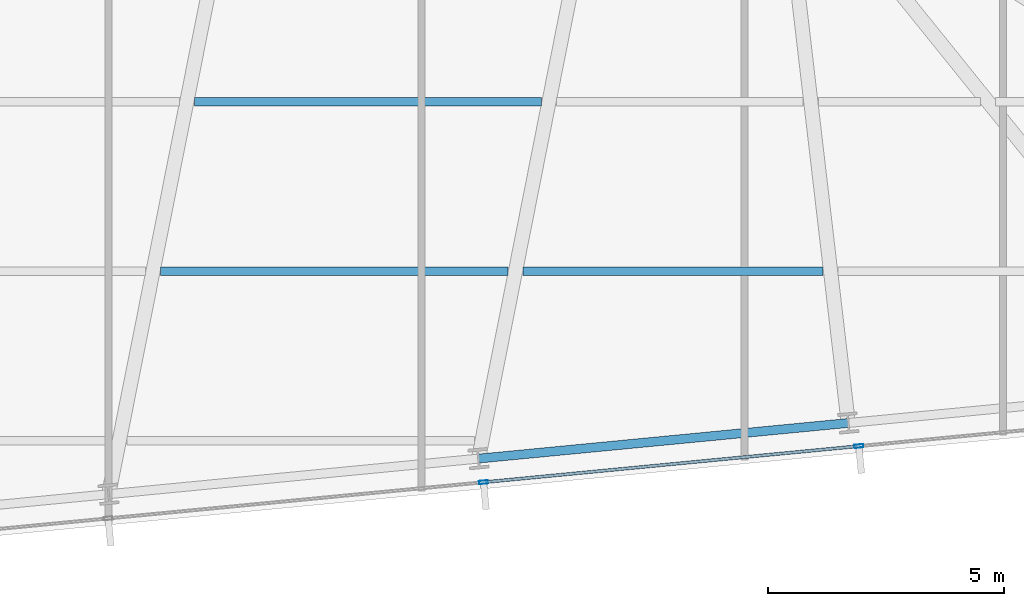
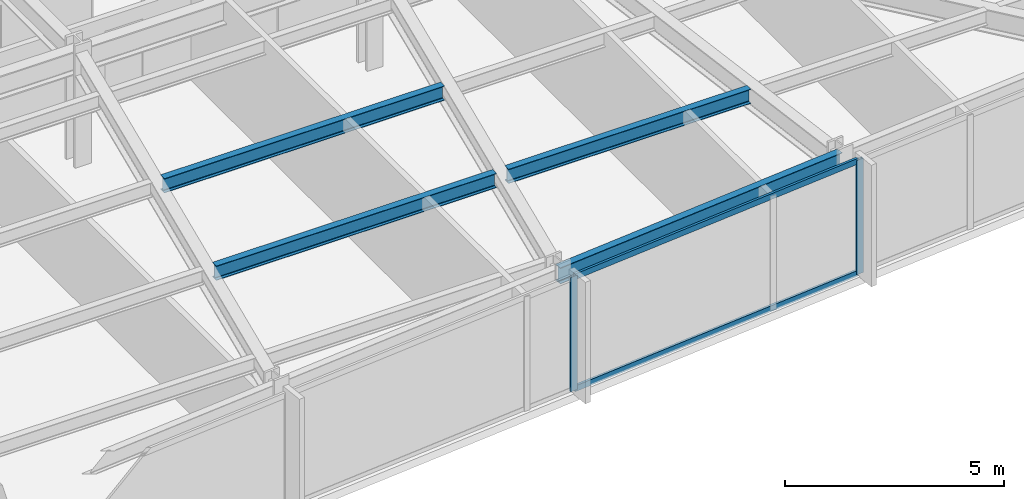
# One storey, part 10 of 33: 4 beams, 4 members, 1 element without a shape of its own.
"""IFC4 building model written with IfcOpenShell, lengths in metres."""

from ifc_helpers import new_model, si_unit, direction, frame, origin, origin_2d, place, context, subcontext, project, spatial, hollow_rectangle, i_section, extrude, material, material_profile, profile_set, type_object, element, aggregate, save


model = new_model("IFC4")

# Units and contexts
model_context = context("Model", 3, precision=1e-05, world=origin(), true_north=direction((0.0, 1.0)))
body_context = subcontext(model_context, "Body", "Model", "MODEL_VIEW")
ifc_project = project(units=[si_unit("LENGTHUNIT", "METRE"), si_unit("AREAUNIT", "SQUARE_METRE"), si_unit("VOLUMEUNIT", "CUBIC_METRE"), si_unit("PLANEANGLEUNIT", "RADIAN"), si_unit("MASSUNIT", "GRAM", prefix="KILO")], contexts=[model_context])

# Site, building, storey
site_placement = place(None, origin())
site = spatial("IfcSite", under=ifc_project, at=site_placement, CompositionType="ELEMENT")
building_placement = place(site_placement, origin())
building = spatial("IfcBuilding", under=site, at=building_placement, Name="Yelkora Congress Tower", CompositionType="ELEMENT")
storey_placement = place(building_placement, frame((0.0, 0.0, 106.699951171875)))
storey = spatial("IfcBuildingStorey", under=building, at=storey_placement, Name="L28", CompositionType="ELEMENT", Elevation=106.699951171875)

# Beams
ifc_material_1 = material(Name="Steel S355J2", Category="steel")
ifc_material_profile_1 = material_profile(ifc_material_1, i_section(OverallWidth=0.179931640625, OverallDepth=0.39990234375, WebThickness=0.008544921875, FlangeThickness=0.013427734375, FilletRadius=0.02099609375, at=origin_2d()), Name="IPE 400")
ifc_profile_set_1 = profile_set([ifc_material_profile_1], Name="Steel S355J2")
beam_type_1 = type_object("IfcBeamType", Name="BM-JOIST-IPE400", PredefinedType="JOIST", material=ifc_profile_set_1)
beam_1_placement = place(storey_placement, frame((44.436767578125, 16.144287109375, 2.97998046875), z_axis=(1.0, 0.0, 0.0), x_axis=(0.0, 1.0, 0.0)))
element("IfcBeam", 1, at=beam_1_placement, inside=storey, type_object=beam_type_1, Name="L28 Composite Floor Joist 7", PredefinedType="JOIST", context=body_context, shape_type="SweptSolid", body=[
    extrude(i_section(OverallWidth=0.179931640625, OverallDepth=0.39990234375, WebThickness=0.008544921875, FlangeThickness=0.013427734375, FilletRadius=0.02099609375, at=origin_2d()), origin(), (0.0, 0.0, 1.0), 7.373046875),
])
beam_2_placement = place(storey_placement, frame((52.1298828125, 16.144287109375, 2.97998046875), z_axis=(1.0, 0.0, 0.0), x_axis=(0.0, 1.0, 0.0)))
element("IfcBeam", 2, at=beam_2_placement, inside=storey, type_object=beam_type_1, Name="L28 Composite Floor Joist 8", PredefinedType="JOIST", context=body_context, shape_type="SweptSolid", body=[
    extrude(i_section(OverallWidth=0.179931640625, OverallDepth=0.39990234375, WebThickness=0.008544921875, FlangeThickness=0.013427734375, FilletRadius=0.02099609375, at=origin_2d()), origin(), (0.0, 0.0, 1.0), 6.3671875),
])
beam_3_placement = place(storey_placement, frame((45.153564453125, 19.744384765625, 2.97998046875), z_axis=(1.0, 0.0, 0.0), x_axis=(0.0, 1.0, 0.0)))
element("IfcBeam", 3, at=beam_3_placement, inside=storey, type_object=beam_type_1, Name="L28 Composite Floor Joist 14", PredefinedType="JOIST", context=body_context, shape_type="SweptSolid", body=[
    extrude(i_section(OverallWidth=0.179931640625, OverallDepth=0.39990234375, WebThickness=0.008544921875, FlangeThickness=0.013427734375, FilletRadius=0.02099609375, at=origin_2d()), origin(), (0.0, 0.0, 1.0), 7.367919921875),
])
ifc_material_profile_2 = material_profile(ifc_material_1, i_section(OverallWidth=0.18994140625, OverallDepth=0.449951171875, WebThickness=0.009521484375, FlangeThickness=0.0146484375, FilletRadius=0.02099609375, at=origin_2d()), Name="IPE 450")
ifc_profile_set_2 = profile_set([ifc_material_profile_2], Name="Steel S355J2")
beam_type_2 = type_object("IfcBeamType", Name="BM-SPAN-IPE450", PredefinedType="SPANDREL", material=ifc_profile_set_2)
beam_4_placement = place(storey_placement, frame((51.18359375, 12.16748046875, 2.955078125), z_axis=(0.995395860104, 0.095849265454, 0.0), x_axis=(-0.095849265454, 0.995395860104, 0.0)))
element("IfcBeam", 4, at=beam_4_placement, inside=storey, type_object=beam_type_2, Name="L28 Perimeter Beam 7", PredefinedType="SPANDREL", context=body_context, shape_type="SweptSolid", body=[
    extrude(i_section(OverallWidth=0.18994140625, OverallDepth=0.449951171875, WebThickness=0.009521484375, FlangeThickness=0.0146484375, FilletRadius=0.02099609375, at=origin_2d()), origin(), (0.0, 0.0, 1.0), 7.885986328125),
])

# Curtain wall, members
ifc_material_2 = material(Name="Anodised aluminium and insulated glass", Category="aluminium")
curtain_wall_type = type_object("IfcCurtainWallType", Name="CW-SYS-B2", PredefinedType="NOTDEFINED", material=ifc_material_2)
curtain_wall_placement = place(storey_placement, origin())
curtain_wall = element("IfcCurtainWall", 5, at=curtain_wall_placement, inside=storey, type_object=curtain_wall_type, Name="L28 Unitised Curtain Wall 20", PredefinedType="NOTDEFINED")
ifc_material_3 = material(Name="Anodised aluminium 6063-T6", Category="aluminium")
ifc_material_profile_3 = material_profile(ifc_material_3, hollow_rectangle(XDim=0.070068359375, YDim=0.18994140625, WallThickness=0.00390625, at=origin_2d()), Name="ALU 70x190x4")
ifc_profile_set_3 = profile_set([ifc_material_profile_3], Name="Anodised aluminium 6063-T6")
member_type_1 = type_object("IfcMemberType", Name="MEM-ML-B2", PredefinedType="MULLION", material=ifc_profile_set_3)
member_1_placement = place(storey_placement, frame((59.2568359375, 12.4326171875, 0.0), z_axis=(0.0, 0.0, 1.0), x_axis=(0.095844345816, -0.995396333816, 0.0)))
member_1 = element("IfcMember", 6, at=member_1_placement, type_object=member_type_1, Name="CW-B2 mullion 3", PredefinedType="MULLION", context=body_context, shape_type="SweptSolid", body=[
    extrude(hollow_rectangle(XDim=0.070068359375, YDim=0.18994140625, WallThickness=0.00390625, at=origin_2d()), origin(), (0.0, 0.0, 1.0), 3.179931640625),
])
member_2_placement = place(storey_placement, frame((51.290771484375, 11.66552734375, 0.0), z_axis=(0.0, 0.0, 1.0), x_axis=(0.095844345816, -0.995396333816, 0.0)))
member_2 = element("IfcMember", 7, at=member_2_placement, type_object=member_type_1, Name="CW-B2 mullion 4", PredefinedType="MULLION", context=body_context, shape_type="SweptSolid", body=[
    extrude(hollow_rectangle(XDim=0.070068359375, YDim=0.18994140625, WallThickness=0.00390625, at=origin_2d()), origin(), (0.0, 0.0, 1.0), 3.179931640625),
])
ifc_material_profile_4 = material_profile(ifc_material_3, hollow_rectangle(XDim=0.06494140625, YDim=0.159912109375, WallThickness=0.00390625, at=origin_2d()), Name="ALU 65x160x4")
ifc_profile_set_4 = profile_set([ifc_material_profile_4], Name="Anodised aluminium 6063-T6")
member_type_2 = type_object("IfcMemberType", Name="MEM-TR-B2", PredefinedType="USERDEFINED", material=ifc_profile_set_4)
member_3_placement = place(storey_placement, frame((59.221923828125, 12.42919921875, 0.032470703125), z_axis=(-0.995397010735, -0.095837315383, 0.0), x_axis=(0.095837315383, -0.995397010735, 0.0)))
member_3 = element("IfcMember", 8, at=member_3_placement, type_object=member_type_2, Name="CW-B2 transom 3.1", ObjectType="TRANSOM", PredefinedType="USERDEFINED", context=body_context, shape_type="SweptSolid", body=[
    extrude(hollow_rectangle(XDim=0.06494140625, YDim=0.159912109375, WallThickness=0.00390625, at=origin_2d()), origin(), (0.0, 0.0, 1.0), 7.932861328125),
])
member_4_placement = place(storey_placement, frame((59.221923828125, 12.42919921875, 3.1474609375), z_axis=(-0.995397010735, -0.095837315383, 0.0), x_axis=(0.095837315383, -0.995397010735, 0.0)))
member_4 = element("IfcMember", 9, at=member_4_placement, type_object=member_type_2, Name="CW-B2 transom 3.2", ObjectType="TRANSOM", PredefinedType="USERDEFINED", context=body_context, shape_type="SweptSolid", body=[
    extrude(hollow_rectangle(XDim=0.06494140625, YDim=0.159912109375, WallThickness=0.00390625, at=origin_2d()), origin(), (0.0, 0.0, 1.0), 7.932861328125),
])
aggregate(curtain_wall, [member_1, member_2, member_3, member_4])

save(model, "model.ifc")
